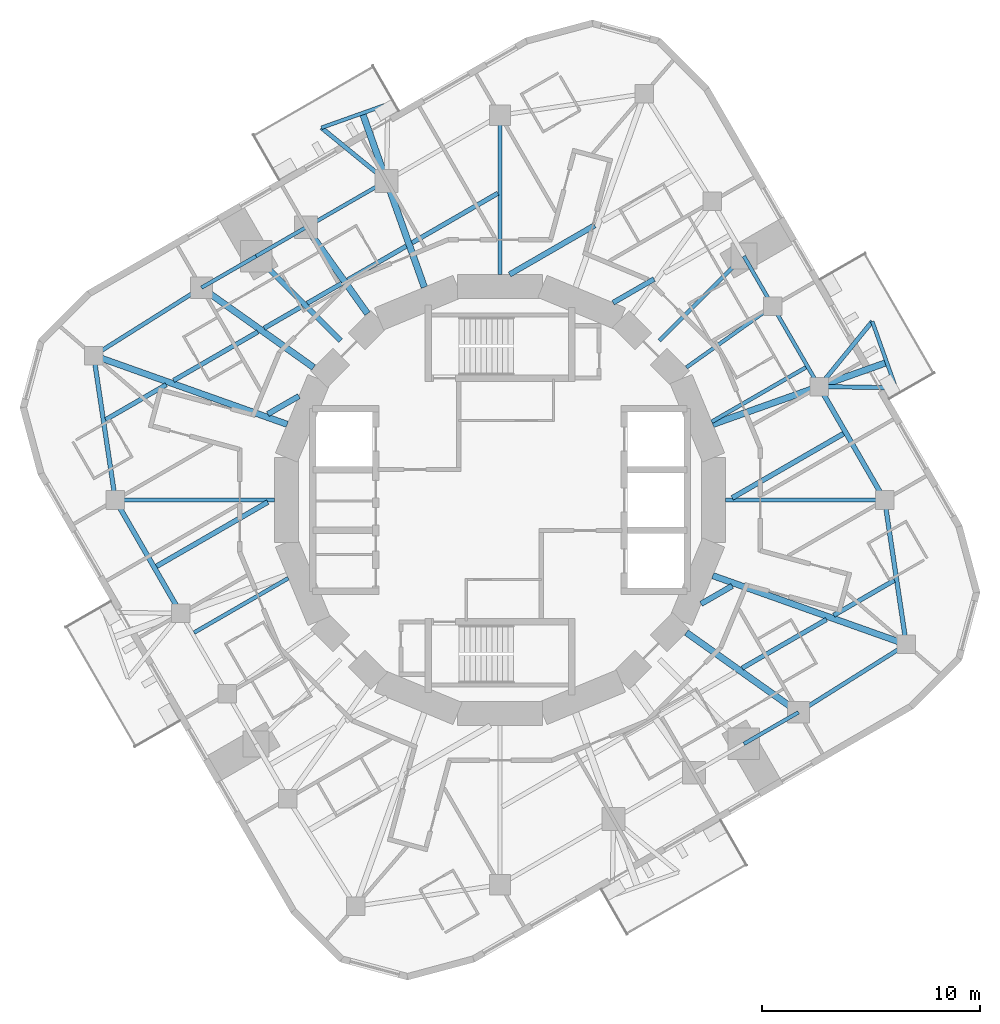
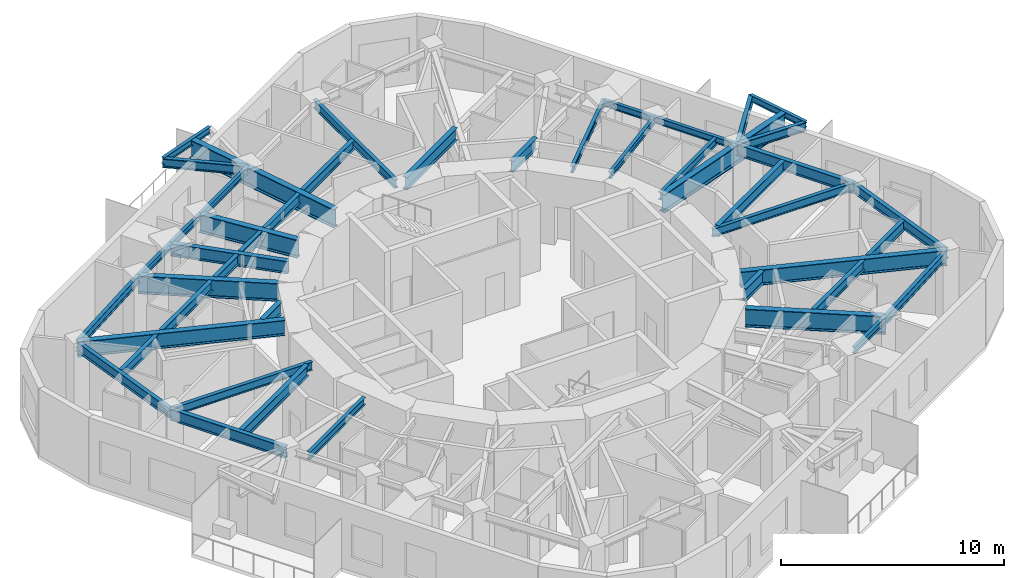
# One storey, part 2 of 12: 46 beams.
"""IFC4 building model written with IfcOpenShell, lengths in metres."""

import ifcopenshell
import ifcopenshell.guid

model = None  # the IFC model being written
_history = None  # IfcOwnerHistory: only IFC2X3 demands one
_inside = {}  # id of a spatial element -> (the spatial element, [elements in it])
_under = {}  # id of a project, library or spatial element -> (it, [spatial elements below it])
_declared = {}  # id of a project -> (the project, [libraries it declares])
_typed = {}  # id of a type object -> (the type object, [elements of that type])
_made_of = {}  # id of a material, layer set ... -> (it, [elements and type objects made of it])


def new_model(schema):
    """Start an empty IFC model of exactly this schema.

    Asked for "IFC4X3", IfcOpenShell would pick the latest addendum, in which some entities
    have other attributes; the version numbers below select the first issue.
    IFC2X3 requires an IfcOwnerHistory on every rooted entity: one is made here for all.
    """
    global model, _history
    if schema == "IFC4X3":
        model = ifcopenshell.file(schema_version=(4, 3, 0, 0))
    else:
        model = ifcopenshell.file(schema=schema)
    _inside.clear()
    _under.clear()
    _declared.clear()
    _typed.clear()
    _made_of.clear()
    _history = None
    if model.schema == "IFC2X3":
        org = make("IfcOrganization", Name="unknown")
        user = make(
            "IfcPersonAndOrganization",
            ThePerson=make("IfcPerson", FamilyName="unknown"),
            TheOrganization=org,
        )
        app = make(
            "IfcApplication",
            ApplicationDeveloper=org,
            Version="unknown",
            ApplicationFullName="unknown",
            ApplicationIdentifier="unknown",
        )
        _history = make(
            "IfcOwnerHistory",
            OwningUser=user,
            OwningApplication=app,
            ChangeAction="ADDED",
            CreationDate=0,
        )
    return model


def make(cls, **values):
    """One entity of the class cls with the attributes given. An attribute that is None is left unset."""
    return model.create_entity(
        cls, **{name: value for name, value in values.items() if value is not None}
    )


def rooted(cls, **values):
    """An entity with a GlobalId (a new one), such as an element, a storey or a relation."""
    return make(cls, GlobalId=ifcopenshell.guid.new(), OwnerHistory=_history, **values)


def si_unit(unit_type, name, prefix=None):
    """IfcSIUnit, for example si_unit("LENGTHUNIT", "METRE", prefix="MILLI")."""
    return make("IfcSIUnit", UnitType=unit_type, Prefix=prefix, Name=name)


def assignment(units):
    """IfcUnitAssignment: the units of a project."""
    return None if units is None else make("IfcUnitAssignment", Units=units)


def point(xyz):
    """IfcCartesianPoint."""
    return None if xyz is None else make("IfcCartesianPoint", Coordinates=xyz)


def direction(xyz):
    """IfcDirection."""
    return None if xyz is None else make("IfcDirection", DirectionRatios=xyz)


def frame(location, z_axis=None, x_axis=None):
    """IfcAxis2Placement3D, a coordinate frame: its origin and axes. An axis left out is left unset."""
    return make(
        "IfcAxis2Placement3D",
        Location=point(location),
        Axis=direction(z_axis),
        RefDirection=direction(x_axis),
    )


def frame_2d(location, x_axis=None):
    """IfcAxis2Placement2D, a coordinate frame in the plane: its origin and x axis."""
    return make(
        "IfcAxis2Placement2D", Location=point(location), RefDirection=direction(x_axis)
    )


def origin():
    """The frame at (0, 0, 0) with its axes left unset."""
    return frame((0.0, 0.0, 0.0))


def origin_2d():
    """The frame at (0, 0) in the plane with its x axis left unset."""
    return frame_2d((0.0, 0.0))


def place(relative_to, where):
    """IfcLocalPlacement: puts the frame where relative to a parent placement (None: the world)."""
    return make(
        "IfcLocalPlacement", PlacementRelTo=relative_to, RelativePlacement=where
    )


def context(
    kind, dimensions, precision=None, world=None, true_north=None, identifier=None
):
    """IfcGeometricRepresentationContext, for example the 3D "Model" context."""
    return make(
        "IfcGeometricRepresentationContext",
        ContextIdentifier=identifier,
        ContextType=kind,
        CoordinateSpaceDimension=dimensions,
        Precision=precision,
        WorldCoordinateSystem=world,
        TrueNorth=true_north,
    )


def subcontext(parent, identifier, kind, view, scale=None):
    """IfcGeometricRepresentationSubContext, for example "Body" below "Model"."""
    return make(
        "IfcGeometricRepresentationSubContext",
        ContextIdentifier=identifier,
        ContextType=kind,
        ParentContext=parent,
        TargetScale=scale,
        TargetView=view,
    )


def project(units=None, contexts=None):
    """IfcProject with its units and contexts."""
    return rooted(
        "IfcProject",
        Name="project",
        RepresentationContexts=contexts,
        UnitsInContext=assignment(units),
    )


def spatial(cls, under=None, at=None, **own):
    """A site, building, storey or space (cls), placed at a placement, below another one or the project."""
    s = rooted(cls, ObjectPlacement=at, **own)
    if under is not None:
        _under.setdefault(under.id(), (under, []))[1].append(s)
    return s


def profile(cls, at=None, kind="AREA", **sizes):
    """A parametric profile (cls). Its sizes go by their IFC names, for example OverallWidth=200.0."""
    return make(cls, ProfileType=kind, Position=at, **sizes)


def i_section(**sizes):
    """IfcIShapeProfileDef."""
    return profile("IfcIShapeProfileDef", **sizes)


def extrude(swept, where, along, depth):
    """IfcExtrudedAreaSolid: the profile swept, set in the frame where, extruded along a direction by depth."""
    return make(
        "IfcExtrudedAreaSolid",
        SweptArea=swept,
        Position=where,
        ExtrudedDirection=direction(along),
        Depth=depth,
    )


def shape(context_of_items, identifier, shape_type, items):
    """IfcShapeRepresentation: the items that make up one representation, for example the "Body"."""
    return make(
        "IfcShapeRepresentation",
        ContextOfItems=context_of_items,
        RepresentationIdentifier=identifier,
        RepresentationType=shape_type,
        Items=items,
    )


def material(Name=None, Category=None):
    """IfcMaterial."""
    return make("IfcMaterial", Name=Name, Category=Category)


def material_profile(
    of_material, cross_section, Name=None, Category=None, Priority=None
):
    """IfcMaterialProfile: a cross section and its material."""
    return make(
        "IfcMaterialProfile",
        Name=Name,
        Material=of_material,
        Profile=cross_section,
        Priority=Priority,
        Category=Category,
    )


def profile_set(profiles, Name=None, composite=None):
    """IfcMaterialProfileSet."""
    return make(
        "IfcMaterialProfileSet",
        Name=Name,
        MaterialProfiles=profiles,
        CompositeProfile=composite,
    )


def made_of(thing, what):
    """Note that an element or type object is made of a material, layer set ...; save() writes the relation."""
    if what is not None:
        _made_of.setdefault(what.id(), (what, []))[1].append(thing)
    return thing


def type_object(cls, material=None, **own):
    """A type object (cls), such as IfcWallType, which elements share."""
    return made_of(rooted(cls, **own), material)


def element(
    cls,
    number,
    at=None,
    inside=None,
    cuts=None,
    type_object=None,
    material=None,
    context=None,
    identifier="Body",
    shape_type=None,
    held_by="IfcProductDefinitionShape",
    body=None,
    shapes=None,
    **own,
):
    """One element of the class cls, such as IfcWall. Its Tag is "e" and its number.

    at: its placement. inside: the storey or other place that contains it. cuts: it is an
    opening in that element (IfcRelVoidsElement). A single representation is given by context,
    identifier, shape_type and body (its items); several are given by shapes. held_by: the class
    of the entity that holds the representations. save() writes the other relations.
    """
    e = rooted(cls, Tag="e%d" % number, ObjectPlacement=at, **own)
    if body is not None:
        shapes = [shape(context, identifier, shape_type, body)]
    if shapes is not None:
        e.Representation = make(held_by, Representations=shapes)
    if inside is not None:
        _inside.setdefault(inside.id(), (inside, []))[1].append(e)
    if cuts is not None:
        rooted(
            "IfcRelVoidsElement", RelatingBuildingElement=cuts, RelatedOpeningElement=e
        )
    if type_object is not None:
        _typed.setdefault(type_object.id(), (type_object, []))[1].append(e)
    return made_of(e, material)


def aggregate(whole, parts):
    """IfcRelAggregates: a whole, such as a stair, and the parts it consists of."""
    return rooted("IfcRelAggregates", RelatingObject=whole, RelatedObjects=parts)


def save(model, path):
    """Write the relations noted so far, then the file.

    IfcRelAggregates (storeys below a building ...), IfcRelContainedInSpatialStructure (elements
    in a storey), IfcRelDefinesByType, IfcRelAssociatesMaterial and IfcRelDeclares: one each for
    every whole, place, type object, material and project.
    """
    for whole, parts in _under.values():
        aggregate(whole, parts)
    for where, things in _inside.values():
        rooted(
            "IfcRelContainedInSpatialStructure",
            RelatedElements=things,
            RelatingStructure=where,
        )
    for kind, things in _typed.values():
        rooted("IfcRelDefinesByType", RelatedObjects=things, RelatingType=kind)
    for what, things in _made_of.values():
        rooted("IfcRelAssociatesMaterial", RelatedObjects=things, RelatingMaterial=what)
    for by, libraries in _declared.values():
        rooted("IfcRelDeclares", RelatingContext=by, RelatedDefinitions=libraries)
    model.write(path)


model = new_model("IFC4")

# Units and contexts
model_context = context("Model", 3, precision=1e-05, world=origin(), true_north=direction((0.0, 1.0)))
body_context = subcontext(model_context, "Body", "Model", "MODEL_VIEW")
ifc_project = project(units=[si_unit("LENGTHUNIT", "METRE"), si_unit("AREAUNIT", "SQUARE_METRE"), si_unit("VOLUMEUNIT", "CUBIC_METRE"), si_unit("PLANEANGLEUNIT", "RADIAN"), si_unit("MASSUNIT", "GRAM", prefix="KILO")], contexts=[model_context])

# Site, building, storey
site_placement = place(None, origin())
site = spatial("IfcSite", under=ifc_project, at=site_placement, CompositionType="ELEMENT")
building_placement = place(site_placement, origin())
building = spatial("IfcBuilding", under=site, at=building_placement, Name="Nakasero Lantern House", CompositionType="ELEMENT")
storey_placement = place(building_placement, frame((0.0, 0.0, 226.949951171875)))
storey = spatial("IfcBuildingStorey", under=building, at=storey_placement, Name="L55", CompositionType="ELEMENT", Elevation=226.949951171875)

# Beams
ifc_material_1 = material(Name="Steel S355", Category="steel")
ifc_material_profile_1 = material_profile(ifc_material_1, i_section(OverallWidth=0.199462890625, OverallDepth=0.491943359375, WebThickness=0.01806640625, FlangeThickness=0.031982421875, FilletRadius=0.01025390625, at=origin_2d()), Name="UB 457x191x161")
ifc_profile_set_1 = profile_set([ifc_material_profile_1], Name="Steel S355")
beam_type_1 = type_object("IfcBeamType", Name="Balcony splay beam UB 457x191x161", PredefinedType="BEAM", material=ifc_profile_set_1)
beam_1_placement = place(storey_placement, frame((14.657958984375, 5.211669921875, 3.404052734375), z_axis=(0.632127727159, 0.774864205236, 0.0), x_axis=(-0.774864205236, 0.632127727159, 0.0)))
element("IfcBeam", 1, at=beam_1_placement, inside=storey, type_object=beam_type_1, Name="Balcony splay beam L56 B6-C04A", PredefinedType="BEAM", context=body_context, shape_type="SweptSolid", body=[
    extrude(i_section(OverallWidth=0.199462890625, OverallDepth=0.491943359375, WebThickness=0.01806640625, FlangeThickness=0.031982421875, FilletRadius=0.01025390625, at=origin_2d()), origin(), (0.0, 0.0, 1.0), 3.858642578125),
])
beam_2_placement = place(storey_placement, frame((14.657958984375, 5.211669921875, 3.404052734375), z_axis=(0.99985827803, -0.016835196893, 0.0), x_axis=(0.016835196893, 0.99985827803, 0.0)))
element("IfcBeam", 2, at=beam_2_placement, inside=storey, type_object=beam_type_1, Name="Balcony splay beam L56 B6-C04B", PredefinedType="BEAM", context=body_context, shape_type="SweptSolid", body=[
    extrude(i_section(OverallWidth=0.199462890625, OverallDepth=0.491943359375, WebThickness=0.01806640625, FlangeThickness=0.031982421875, FilletRadius=0.01025390625, at=origin_2d()), origin(), (0.0, 0.0, 1.0), 3.52392578125),
])
beam_3_placement = place(storey_placement, frame((-5.211669921875, 14.657958984375, 3.404052734375), z_axis=(-0.774864205236, 0.632127727159, 0.0), x_axis=(-0.632127727159, -0.774864205236, 0.0)))
element("IfcBeam", 3, at=beam_3_placement, inside=storey, type_object=beam_type_1, Name="Balcony splay beam L56 B6-C10A", PredefinedType="BEAM", context=body_context, shape_type="SweptSolid", body=[
    extrude(i_section(OverallWidth=0.199462890625, OverallDepth=0.491943359375, WebThickness=0.01806640625, FlangeThickness=0.031982421875, FilletRadius=0.01025390625, at=origin_2d()), origin(), (0.0, 0.0, 1.0), 3.858642578125),
])
ifc_material_2 = material(Name="Steel S355", Category="steel")
ifc_material_profile_2 = material_profile(ifc_material_2, i_section(OverallWidth=0.17138671875, OverallDepth=0.35498046875, WebThickness=0.00732421875, FlangeThickness=0.011474609375, FilletRadius=0.01025390625, at=origin_2d()), Name="UB 356x171x51")
ifc_profile_set_2 = profile_set([ifc_material_profile_2], Name="Steel S355")
beam_type_2 = type_object("IfcBeamType", Name="Balcony tie beam UB 356x171x51", PredefinedType="BEAM", material=ifc_profile_set_2)
for number, where, z_axis, x_axis, name in (
    (4, (17.09716796875, 8.20166015625, 3.47265625), (0.335017108852, -0.942212044487, 0.0), (0.942212044487, 0.335017108852, 0.0), "Balcony tie beam L56 B6-C04"),
    (5, (-8.20166015625, 17.09716796875, 3.47265625), (0.942212044487, 0.335017108852, 0.0), (-0.335017108852, 0.942212044487, 0.0), "Balcony tie beam L56 B6-C10"),
):
    element("IfcBeam", number, at=place(storey_placement, frame(where, z_axis=z_axis, x_axis=x_axis)), inside=storey, type_object=beam_type_2, Name=name, PredefinedType="BEAM", context=body_context, shape_type="SweptSolid", body=[
        extrude(i_section(OverallWidth=0.17138671875, OverallDepth=0.35498046875, WebThickness=0.00732421875, FlangeThickness=0.011474609375, FilletRadius=0.01025390625, at=origin_2d()), origin(), (0.0, 0.0, 1.0), 3.236328125),
    ])
ifc_material_3 = material(Name="Steel S355", Category="steel")
ifc_material_profile_3 = material_profile(ifc_material_3, i_section(OverallWidth=0.177978515625, OverallDepth=0.406494140625, WebThickness=0.0078125, FlangeThickness=0.0126953125, FilletRadius=0.01025390625, at=origin_2d()), Name="UB 406x178x60")
ifc_profile_set_3 = profile_set([ifc_material_profile_3], Name="Steel S355")
beam_type_3 = type_object("IfcBeamType", Name="Infill beam UB 406x178x60", PredefinedType="JOIST", material=ifc_profile_set_3)
for number, where, z_axis, x_axis, name in (
    (6, (9.72314453125, 3.5927734375, 3.44677734375), (0.866018808352, 0.500011423449, 0.0), (-0.500011423449, 0.866018808352, 0.0), "Infill beam L56 06.1"),
    (7, (-14.051025390625, -6.091552734375, 3.44677734375), (0.866018808352, 0.500011423449, 0.0), (-0.500011423449, 0.866018808352, 0.0), "Infill beam L56 07.1"),
):
    element("IfcBeam", number, at=place(storey_placement, frame(where, z_axis=z_axis, x_axis=x_axis)), inside=storey, type_object=beam_type_3, Name=name, PredefinedType="JOIST", context=body_context, shape_type="SweptSolid", body=[
        extrude(i_section(OverallWidth=0.177978515625, OverallDepth=0.406494140625, WebThickness=0.0078125, FlangeThickness=0.0126953125, FilletRadius=0.01025390625, at=origin_2d()), origin(), (0.0, 0.0, 1.0), 4.99755859375),
    ])
ifc_material_4 = material(Name="Steel S355", Category="steel")
ifc_material_profile_4 = material_profile(ifc_material_4, i_section(OverallWidth=0.2099609375, OverallDepth=0.53662109375, WebThickness=0.0107421875, FlangeThickness=0.017333984375, FilletRadius=0.0126953125, at=origin_2d()), Name="UB 533x210x101")
ifc_profile_set_4 = profile_set([ifc_material_profile_4], Name="Steel S355")
beam_type_4 = type_object("IfcBeamType", Name="Infill beam UB 533x210x101", PredefinedType="JOIST", material=ifc_profile_set_4)
beam_4_placement = place(storey_placement, frame((11.12109375, -7.724365234375, 3.381591796875), z_axis=(0.866018397847, 0.500012134443, 0.0), x_axis=(-0.500012134443, 0.866018397847, 0.0)))
element("IfcBeam", 8, at=beam_4_placement, inside=storey, type_object=beam_type_4, Name="Infill beam L56 03.5", PredefinedType="JOIST", context=body_context, shape_type="SweptSolid", body=[
    extrude(i_section(OverallWidth=0.2099609375, OverallDepth=0.53662109375, WebThickness=0.0107421875, FlangeThickness=0.017333984375, FilletRadius=0.0126953125, at=origin_2d()), origin(), (0.0, 0.0, 1.0), 4.474609375),
])
for number, where, z_axis, x_axis, name in (
    (9, (15.32861328125, -5.294921875, 3.381591796875), (0.866033858845, 0.49998535512, 0.0), (-0.49998535512, 0.866033858845, 0.0), "Infill beam L56 03.6"),
    (10, (-18.11328125, 3.687255859375, 3.381591796875), (0.866033858845, 0.49998535512, 0.0), (-0.49998535512, 0.866033858845, 0.0), "Infill beam L56 10.1"),
):
    element("IfcBeam", number, at=place(storey_placement, frame(where, z_axis=z_axis, x_axis=x_axis)), inside=storey, type_object=beam_type_4, Name=name, PredefinedType="JOIST", context=body_context, shape_type="SweptSolid", body=[
        extrude(i_section(OverallWidth=0.2099609375, OverallDepth=0.53662109375, WebThickness=0.0107421875, FlangeThickness=0.017333984375, FilletRadius=0.0126953125, at=origin_2d()), origin(), (0.0, 0.0, 1.0), 3.21533203125),
    ])
beam_5_placement = place(storey_placement, frame((-14.99609375, 5.487060546875, 3.381591796875), z_axis=(0.866018397847, 0.500012134443, 0.0), x_axis=(-0.500012134443, 0.866018397847, 0.0)))
element("IfcBeam", 11, at=beam_5_placement, inside=storey, type_object=beam_type_4, Name="Infill beam L56 10.2", PredefinedType="JOIST", context=body_context, shape_type="SweptSolid", body=[
    extrude(i_section(OverallWidth=0.2099609375, OverallDepth=0.53662109375, WebThickness=0.0107421875, FlangeThickness=0.017333984375, FilletRadius=0.0126953125, at=origin_2d()), origin(), (0.0, 0.0, 1.0), 4.474609375),
])
beam_6_placement = place(storey_placement, frame((-10.83544921875, 7.88916015625, 3.381591796875), z_axis=(0.866039061512, 0.499976343375, 0.0), x_axis=(-0.499976343375, 0.866039061512, 0.0)))
element("IfcBeam", 12, at=beam_6_placement, inside=storey, type_object=beam_type_4, Name="Infill beam L56 10.3", PredefinedType="JOIST", context=body_context, shape_type="SweptSolid", body=[
    extrude(i_section(OverallWidth=0.2099609375, OverallDepth=0.53662109375, WebThickness=0.0107421875, FlangeThickness=0.017333984375, FilletRadius=0.0126953125, at=origin_2d()), origin(), (0.0, 0.0, 1.0), 2.025390625),
])
beam_7_placement = place(storey_placement, frame((-8.85400390625, 9.033203125, 3.381591796875), z_axis=(0.866028611999, 0.499994443168, 0.0), x_axis=(-0.499994443168, 0.866028611999, 0.0)))
element("IfcBeam", 13, at=beam_7_placement, inside=storey, type_object=beam_type_4, Name="Infill beam L56 10.4", PredefinedType="JOIST", context=body_context, shape_type="SweptSolid", body=[
    extrude(i_section(OverallWidth=0.2099609375, OverallDepth=0.53662109375, WebThickness=0.0107421875, FlangeThickness=0.017333984375, FilletRadius=0.0126953125, at=origin_2d()), origin(), (0.0, 0.0, 1.0), 1.8388671875),
])
beam_8_placement = place(storey_placement, frame((-7.00048828125, 10.103271484375, 3.381591796875), z_axis=(0.866018346476, 0.500012223418, 0.0), x_axis=(-0.500012223418, 0.866018346476, 0.0)))
element("IfcBeam", 14, at=beam_8_placement, inside=storey, type_object=beam_type_4, Name="Infill beam L56 10.5", PredefinedType="JOIST", context=body_context, shape_type="SweptSolid", body=[
    extrude(i_section(OverallWidth=0.2099609375, OverallDepth=0.53662109375, WebThickness=0.0107421875, FlangeThickness=0.017333984375, FilletRadius=0.0126953125, at=origin_2d()), origin(), (0.0, 0.0, 1.0), 3.11181640625),
])
beam_9_placement = place(storey_placement, frame((-4.039794921875, 11.812744140625, 3.381591796875), z_axis=(0.866027576455, 0.499996236806, 0.0), x_axis=(-0.499996236806, 0.866027576455, 0.0)))
element("IfcBeam", 15, at=beam_9_placement, inside=storey, type_object=beam_type_4, Name="Infill beam L56 10.6", PredefinedType="JOIST", context=body_context, shape_type="SweptSolid", body=[
    extrude(i_section(OverallWidth=0.2099609375, OverallDepth=0.53662109375, WebThickness=0.0107421875, FlangeThickness=0.017333984375, FilletRadius=0.0126953125, at=origin_2d()), origin(), (0.0, 0.0, 1.0), 4.55419921875),
])
ifc_material_5 = material(Name="Steel S355", Category="steel")
ifc_material_profile_5 = material_profile(ifc_material_5, i_section(OverallWidth=0.22900390625, OverallDepth=0.6123046875, WebThickness=0.011962890625, FlangeThickness=0.01953125, FilletRadius=0.0126953125, at=origin_2d()), Name="UB 610x229x125")
ifc_profile_set_5 = profile_set([ifc_material_profile_5], Name="Steel S355")
beam_type_5 = type_object("IfcBeamType", Name="Infill beam UB 610x229x125", PredefinedType="JOIST", material=ifc_profile_set_5)
for number, where, z_axis, x_axis, name in (
    (16, (10.66455078125, 0.094970703125, 3.343994140625), (0.866025091885, 0.500000540226, 0.0), (-0.500000540226, 0.866025091885, 0.0), "Infill beam L56 05.3"),
    (17, (-15.776123046875, -3.046142578125, 3.343994140625), (0.866025091885, 0.500000540226, 0.0), (-0.500000540226, 0.866025091885, 0.0), "Infill beam L56 08.1"),
):
    element("IfcBeam", number, at=place(storey_placement, frame(where, z_axis=z_axis, x_axis=x_axis)), inside=storey, type_object=beam_type_5, Name=name, PredefinedType="JOIST", context=body_context, shape_type="SweptSolid", body=[
        extrude(i_section(OverallWidth=0.22900390625, OverallDepth=0.6123046875, WebThickness=0.011962890625, FlangeThickness=0.01953125, FilletRadius=0.0126953125, at=origin_2d()), origin(), (0.0, 0.0, 1.0), 5.90234375),
    ])
beam_10_placement = place(storey_placement, frame((5.19287109375, 9.060302734375, 3.343994140625), z_axis=(0.866043427695, 0.499968780372, 0.0), x_axis=(-0.499968780372, 0.866043427695, 0.0)))
element("IfcBeam", 18, at=beam_10_placement, inside=storey, type_object=beam_type_5, Name="Infill beam L56 08.2", PredefinedType="JOIST", context=body_context, shape_type="SweptSolid", body=[
    extrude(i_section(OverallWidth=0.22900390625, OverallDepth=0.6123046875, WebThickness=0.011962890625, FlangeThickness=0.01953125, FilletRadius=0.0126953125, at=origin_2d()), origin(), (0.0, 0.0, 1.0), 2.173583984375),
])
ifc_material_6 = material(Name="Steel S355", Category="steel")
ifc_material_profile_6 = material_profile(ifc_material_6, i_section(OverallWidth=0.253662109375, OverallDepth=0.68359375, WebThickness=0.012451171875, FlangeThickness=0.01904296875, FilletRadius=0.01513671875, at=origin_2d()), Name="UB 686x254x140")
ifc_profile_set_6 = profile_set([ifc_material_profile_6], Name="Steel S355")
beam_type_6 = type_object("IfcBeamType", Name="Infill beam UB 686x254x140", PredefinedType="JOIST", material=ifc_profile_set_6)
for number, where, z_axis, x_axis, name in (
    (19, (9.234619140625, -4.77197265625, 3.308349609375), (0.866050114754, 0.499957196903, 0.0), (-0.499957196903, 0.866050114754, 0.0), "Infill beam L56 04.3"),
    (20, (-10.6640625, 3.94677734375, 3.308349609375), (0.866050114754, 0.499957196903, 0.0), (-0.499957196903, 0.866050114754, 0.0), "Infill beam L56 09.1"),
):
    element("IfcBeam", number, at=place(storey_placement, frame(where, z_axis=z_axis, x_axis=x_axis)), inside=storey, type_object=beam_type_6, Name=name, PredefinedType="JOIST", context=body_context, shape_type="SweptSolid", body=[
        extrude(i_section(OverallWidth=0.253662109375, OverallDepth=0.68359375, WebThickness=0.012451171875, FlangeThickness=0.01904296875, FilletRadius=0.01513671875, at=origin_2d()), origin(), (0.0, 0.0, 1.0), 1.650634765625),
    ])
beam_11_placement = place(storey_placement, frame((0.4404296875, 10.35791015625, 3.308349609375), z_axis=(0.86603787505, 0.499978398512, 0.0), x_axis=(-0.499978398512, 0.86603787505, 0.0)))
element("IfcBeam", 21, at=beam_11_placement, inside=storey, type_object=beam_type_6, Name="Infill beam L56 09.2", PredefinedType="JOIST", context=body_context, shape_type="SweptSolid", body=[
    extrude(i_section(OverallWidth=0.253662109375, OverallDepth=0.68359375, WebThickness=0.012451171875, FlangeThickness=0.01904296875, FilletRadius=0.01513671875, at=origin_2d()), origin(), (0.0, 0.0, 1.0), 4.513916015625),
])
ifc_material_7 = material(Name="Steel S355", Category="steel")
ifc_material_profile_7 = material_profile(ifc_material_7, i_section(OverallWidth=0.300048828125, OverallDepth=0.97998046875, WebThickness=0.0166015625, FlangeThickness=0.02587890625, FilletRadius=0.030029296875, at=origin_2d()), Name="UB 1016x305x249")
ifc_profile_set_7 = profile_set([ifc_material_profile_7], Name="Steel S355")
beam_type_7 = type_object("IfcBeamType", Name="Primary beam UB 1016x305x249, span 6 to 9 m", PredefinedType="BEAM", material=ifc_profile_set_7)
beam_12_placement = place(storey_placement, frame((-13.711669921875, 9.75048828125, 3.159912109375), z_axis=(0.814968702178, -0.579504973637, 0.0), x_axis=(0.579504973637, 0.814968702178, 0.0)))
element("IfcBeam", 22, at=beam_12_placement, inside=storey, type_object=beam_type_7, Name="Primary beam L56 B6-C13", PredefinedType="BEAM", context=body_context, shape_type="SweptSolid", body=[
    extrude(i_section(OverallWidth=0.300048828125, OverallDepth=0.97998046875, WebThickness=0.0166015625, FlangeThickness=0.02587890625, FilletRadius=0.030029296875, at=origin_2d()), origin(), (0.0, 0.0, 1.0), 6.320556640625),
])
ifc_material_8 = material(Name="Steel S355", Category="steel")
ifc_material_profile_8 = material_profile(ifc_material_8, i_section(OverallWidth=0.300048828125, OverallDepth=0.989990234375, WebThickness=0.0166015625, FlangeThickness=0.031005859375, FilletRadius=0.030029296875, at=origin_2d()), Name="UB 1016x305x272")
ifc_profile_set_8 = profile_set([ifc_material_profile_8], Name="Steel S355")
beam_type_8 = type_object("IfcBeamType", Name="Primary beam UB 1016x305x272, span 6 to 9 m", PredefinedType="BEAM", material=ifc_profile_set_8)
beam_13_placement = place(storey_placement, frame((13.711669921875, -9.75048828125, 3.155029296875), z_axis=(-0.814968702178, 0.579504973637, 0.0), x_axis=(-0.579504973637, -0.814968702178, 0.0)))
element("IfcBeam", 23, at=beam_13_placement, inside=storey, type_object=beam_type_8, Name="Primary beam L56 B6-C01", PredefinedType="BEAM", context=body_context, shape_type="SweptSolid", body=[
    extrude(i_section(OverallWidth=0.300048828125, OverallDepth=0.989990234375, WebThickness=0.0166015625, FlangeThickness=0.031005859375, FilletRadius=0.030029296875, at=origin_2d()), origin(), (0.0, 0.0, 1.0), 6.320556640625),
])
ifc_material_9 = material(Name="Steel S355", Category="steel")
ifc_material_profile_9 = material_profile(ifc_material_9, i_section(OverallWidth=0.300048828125, OverallDepth=1.0, WebThickness=0.01904296875, FlangeThickness=0.035888671875, FilletRadius=0.030029296875, at=origin_2d()), Name="UB 1016x305x314")
ifc_profile_set_9 = profile_set([ifc_material_profile_9], Name="Steel S355")
beam_type_9 = type_object("IfcBeamType", Name="Primary beam UB 1016x305x314, span to 6 m", PredefinedType="BEAM", material=ifc_profile_set_9)
beam_14_placement = place(storey_placement, frame((-8.906494140625, 12.524658203125, 3.150146484375), z_axis=(0.579513415446, -0.814962699342, 0.0), x_axis=(0.814962699342, 0.579513415446, 0.0)))
element("IfcBeam", 24, at=beam_14_placement, inside=storey, type_object=beam_type_9, Name="Primary beam L56 B6-C11", PredefinedType="BEAM", context=body_context, shape_type="SweptSolid", body=[
    extrude(i_section(OverallWidth=0.300048828125, OverallDepth=1.0, WebThickness=0.01904296875, FlangeThickness=0.035888671875, FilletRadius=0.030029296875, at=origin_2d()), origin(), (0.0, 0.0, 1.0), 4.8642578125),
])
ifc_material_10 = material(Name="Steel S355", Category="steel")
ifc_material_profile_10 = material_profile(ifc_material_10, i_section(OverallWidth=0.302001953125, OverallDepth=1.008056640625, WebThickness=0.02099609375, FlangeThickness=0.0400390625, FilletRadius=0.030029296875, at=origin_2d()), Name="UB 1016x305x349")
ifc_profile_set_10 = profile_set([ifc_material_profile_10], Name="Steel S355")
beam_type_10 = type_object("IfcBeamType", Name="Primary beam UB 1016x305x349, span to 6 m", PredefinedType="BEAM", material=ifc_profile_set_10)
beam_15_placement = place(storey_placement, frame((-6.317138671875, 17.767333984375, 3.14599609375), z_axis=(0.33498185503, -0.94222457875, 0.0), x_axis=(0.94222457875, 0.33498185503, 0.0)))
element("IfcBeam", 25, at=beam_15_placement, inside=storey, type_object=beam_type_10, Name="Primary beam L56 B6-C10", PredefinedType="BEAM", context=body_context, shape_type="SweptSolid", body=[
    extrude(i_section(OverallWidth=0.302001953125, OverallDepth=1.008056640625, WebThickness=0.02099609375, FlangeThickness=0.0400390625, FilletRadius=0.030029296875, at=origin_2d()), origin(), (0.0, 0.0, 1.0), 8.485595703125),
])
ifc_material_11 = material(Name="Steel S355", Category="steel")
ifc_material_profile_11 = material_profile(ifc_material_11, i_section(OverallWidth=0.302978515625, OverallDepth=1.015869140625, WebThickness=0.0244140625, FlangeThickness=0.0439453125, FilletRadius=0.030029296875, at=origin_2d()), Name="UB 1016x305x393")
ifc_profile_set_11 = profile_set([ifc_material_profile_11], Name="Steel S355")
beam_type_11 = type_object("IfcBeamType", Name="Primary beam UB 1016x305x393, span to 6 m", PredefinedType="BEAM", material=ifc_profile_set_11)
beam_16_placement = place(storey_placement, frame((17.767333984375, 6.317138671875, 3.14208984375), z_axis=(-0.94222457875, -0.33498185503, 0.0), x_axis=(0.33498185503, -0.94222457875, 0.0)))
element("IfcBeam", 26, at=beam_16_placement, inside=storey, type_object=beam_type_11, Name="Primary beam L56 B6-C04", PredefinedType="BEAM", context=body_context, shape_type="SweptSolid", body=[
    extrude(i_section(OverallWidth=0.302978515625, OverallDepth=1.015869140625, WebThickness=0.0244140625, FlangeThickness=0.0439453125, FilletRadius=0.030029296875, at=origin_2d()), origin(), (0.0, 0.0, 1.0), 8.485595703125),
])
ifc_material_12 = material(Name="Steel S355", Category="steel")
ifc_material_profile_12 = material_profile(ifc_material_12, i_section(OverallWidth=0.17138671875, OverallDepth=0.35498046875, WebThickness=0.00732421875, FlangeThickness=0.011474609375, FilletRadius=0.01025390625, at=origin_2d()), Name="UB 356x171x51")
ifc_profile_set_12 = profile_set([ifc_material_profile_12], Name="Steel S355")
beam_type_12 = type_object("IfcBeamType", Name="Primary beam UB 356x171x51, span to 6 m", PredefinedType="BEAM", material=ifc_profile_set_12)
beam_17_placement = place(storey_placement, frame((12.524658203125, 8.906494140625, 3.47265625), z_axis=(-0.814962699342, -0.579513415446, 0.0), x_axis=(0.579513415446, -0.814962699342, 0.0)))
element("IfcBeam", 27, at=beam_17_placement, inside=storey, type_object=beam_type_12, Name="Primary beam L56 B6-C05", PredefinedType="BEAM", context=body_context, shape_type="SweptSolid", body=[
    extrude(i_section(OverallWidth=0.17138671875, OverallDepth=0.35498046875, WebThickness=0.00732421875, FlangeThickness=0.011474609375, FilletRadius=0.01025390625, at=origin_2d()), origin(), (0.0, 0.0, 1.0), 4.8642578125),
])
beam_18_placement = place(storey_placement, frame((11.200439453125, 11.200439453125, 3.47265625), z_axis=(-0.707106781187, -0.707106781187, 0.0), x_axis=(0.707106781187, -0.707106781187, 0.0)))
element("IfcBeam", 28, at=beam_18_placement, inside=storey, type_object=beam_type_12, Name="Primary beam L56 B6-C06", PredefinedType="BEAM", context=body_context, shape_type="SweptSolid", body=[
    extrude(i_section(OverallWidth=0.17138671875, OverallDepth=0.35498046875, WebThickness=0.00732421875, FlangeThickness=0.011474609375, FilletRadius=0.01025390625, at=origin_2d()), origin(), (0.0, 0.0, 1.0), 5.481689453125),
])
ifc_material_13 = material(Name="Steel S355", Category="steel")
ifc_material_profile_13 = material_profile(ifc_material_13, i_section(OverallWidth=0.18994140625, OverallDepth=0.453369140625, WebThickness=0.008544921875, FlangeThickness=0.0126953125, FilletRadius=0.01025390625, at=origin_2d()), Name="UB 457x191x67")
ifc_profile_set_13 = profile_set([ifc_material_profile_13], Name="Steel S355")
beam_type_13 = type_object("IfcBeamType", Name="Primary beam UB 457x191x67, span 6 to 9 m", PredefinedType="BEAM", material=ifc_profile_set_13)
for number, where, z_axis, x_axis, name in (
    (29, (17.6669921875, 0.0, 3.42333984375), (-1.0, 0.0, 0.0), (0.0, -1.0, 0.0), "Primary beam L56 B6-C03"),
    (30, (-17.6669921875, 0.0, 3.42333984375), (1.0, 0.0, 0.0), (0.0, 1.0, 0.0), "Primary beam L56 B6-C15"),
):
    element("IfcBeam", number, at=place(storey_placement, frame(where, z_axis=z_axis, x_axis=x_axis)), inside=storey, type_object=beam_type_13, Name=name, PredefinedType="BEAM", context=body_context, shape_type="SweptSolid", body=[
        extrude(i_section(OverallWidth=0.18994140625, OverallDepth=0.453369140625, WebThickness=0.008544921875, FlangeThickness=0.0126953125, FilletRadius=0.01025390625, at=origin_2d()), origin(), (0.0, 0.0, 1.0), 7.30908203125),
    ])
ifc_material_14 = material(Name="Steel S355", Category="steel")
ifc_material_profile_14 = material_profile(ifc_material_14, i_section(OverallWidth=0.19140625, OverallDepth=0.4599609375, WebThickness=0.010009765625, FlangeThickness=0.01611328125, FilletRadius=0.01025390625, at=origin_2d()), Name="UB 457x191x82")
ifc_profile_set_14 = profile_set([ifc_material_profile_14], Name="Steel S355")
beam_type_14 = type_object("IfcBeamType", Name="Primary beam UB 457x191x82, span 6 to 9 m", PredefinedType="BEAM", material=ifc_profile_set_14)
beam_19_placement = place(storey_placement, frame((0.0, 17.6669921875, 3.420166015625), z_axis=(0.0, -1.0, 0.0), x_axis=(1.0, 0.0, 0.0)))
element("IfcBeam", 31, at=beam_19_placement, inside=storey, type_object=beam_type_14, Name="Primary beam L56 B6-C09", PredefinedType="BEAM", context=body_context, shape_type="SweptSolid", body=[
    extrude(i_section(OverallWidth=0.19140625, OverallDepth=0.4599609375, WebThickness=0.010009765625, FlangeThickness=0.01611328125, FilletRadius=0.01025390625, at=origin_2d()), origin(), (0.0, 0.0, 1.0), 7.30908203125),
])
ifc_material_15 = material(Name="Steel S355", Category="steel")
ifc_material_profile_15 = material_profile(ifc_material_15, i_section(OverallWidth=0.253662109375, OverallDepth=0.68359375, WebThickness=0.012451171875, FlangeThickness=0.01904296875, FilletRadius=0.01513671875, at=origin_2d()), Name="UB 686x254x140")
ifc_profile_set_15 = profile_set([ifc_material_profile_15], Name="Steel S355")
beam_type_15 = type_object("IfcBeamType", Name="Primary beam UB 686x254x140, span to 6 m", PredefinedType="BEAM", material=ifc_profile_set_15)
beam_20_placement = place(storey_placement, frame((-11.200439453125, 11.200439453125, 3.308349609375), z_axis=(0.707106781187, -0.707106781187, 0.0), x_axis=(0.707106781187, 0.707106781187, 0.0)))
element("IfcBeam", 32, at=beam_20_placement, inside=storey, type_object=beam_type_15, Name="Primary beam L56 B6-C12", PredefinedType="BEAM", context=body_context, shape_type="SweptSolid", body=[
    extrude(i_section(OverallWidth=0.253662109375, OverallDepth=0.68359375, WebThickness=0.012451171875, FlangeThickness=0.01904296875, FilletRadius=0.01513671875, at=origin_2d()), origin(), (0.0, 0.0, 1.0), 5.481689453125),
])
ifc_material_16 = material(Name="Steel S355", Category="steel")
ifc_material_profile_16 = material_profile(ifc_material_16, i_section(OverallWidth=0.29248046875, OverallDepth=0.8408203125, WebThickness=0.0146484375, FlangeThickness=0.02685546875, FilletRadius=0.017822265625, at=origin_2d()), Name="UB 838x292x194")
ifc_profile_set_16 = profile_set([ifc_material_profile_16], Name="Steel S355")
beam_type_16 = type_object("IfcBeamType", Name="Primary beam UB 838x292x194, span 9 to 12 m", PredefinedType="BEAM", material=ifc_profile_set_16)
for number, where, z_axis, x_axis, name in (
    (33, (18.661376953125, -6.63525390625, 3.229736328125), (-0.942215779364, 0.335006604588, 0.0), (-0.335006604588, -0.942215779364, 0.0), "Primary beam L56 B6-C02"),
    (34, (-18.661376953125, 6.63525390625, 3.229736328125), (0.942215779364, -0.335006604588, 0.0), (0.335006604588, 0.942215779364, 0.0), "Primary beam L56 B6-C14"),
):
    element("IfcBeam", number, at=place(storey_placement, frame(where, z_axis=z_axis, x_axis=x_axis)), inside=storey, type_object=beam_type_16, Name=name, PredefinedType="BEAM", context=body_context, shape_type="SweptSolid", body=[
        extrude(i_section(OverallWidth=0.29248046875, OverallDepth=0.8408203125, WebThickness=0.0146484375, FlangeThickness=0.02685546875, FilletRadius=0.017822265625, at=origin_2d()), origin(), (0.0, 0.0, 1.0), 9.4345703125),
    ])
ifc_material_17 = material(Name="Steel S355", Category="steel")
ifc_material_profile_17 = material_profile(ifc_material_17, i_section(OverallWidth=0.17138671875, OverallDepth=0.35498046875, WebThickness=0.00732421875, FlangeThickness=0.011474609375, FilletRadius=0.01025390625, at=origin_2d()), Name="UB 356x171x51")
ifc_profile_set_17 = profile_set([ifc_material_profile_17], Name="Steel S355")
beam_type_17 = type_object("IfcBeamType", Name="Ring beam UB 356x171x51", PredefinedType="BEAM", material=ifc_profile_set_17)
beam_21_placement = place(storey_placement, frame((14.657958984375, 5.211669921875, 3.47265625), z_axis=(-0.500016352561, 0.866015962423, 0.0), x_axis=(-0.866015962423, -0.500016352561, 0.0)))
element("IfcBeam", 35, at=beam_21_placement, inside=storey, type_object=beam_type_17, Name="Ring beam L56 B6-C04", PredefinedType="BEAM", context=body_context, shape_type="SweptSolid", body=[
    extrude(i_section(OverallWidth=0.17138671875, OverallDepth=0.35498046875, WebThickness=0.00732421875, FlangeThickness=0.011474609375, FilletRadius=0.01025390625, at=origin_2d()), origin(), (0.0, 0.0, 1.0), 4.266357421875),
])
beam_22_placement = place(storey_placement, frame((12.524658203125, 8.906494140625, 3.47265625), z_axis=(-0.499945861543, 0.866056658381, 0.0), x_axis=(-0.866056658381, -0.499945861543, 0.0)))
element("IfcBeam", 36, at=beam_22_placement, inside=storey, type_object=beam_type_17, Name="Ring beam L56 B6-C05", PredefinedType="BEAM", context=body_context, shape_type="SweptSolid", body=[
    extrude(i_section(OverallWidth=0.17138671875, OverallDepth=0.35498046875, WebThickness=0.00732421875, FlangeThickness=0.011474609375, FilletRadius=0.01025390625, at=origin_2d()), origin(), (0.0, 0.0, 1.0), 2.648681640625),
])
beam_23_placement = place(storey_placement, frame((-5.211669921875, 14.657958984375, 3.47265625), z_axis=(-0.866015962423, -0.500016352561, 0.0), x_axis=(0.500016352561, -0.866015962423, 0.0)))
element("IfcBeam", 37, at=beam_23_placement, inside=storey, type_object=beam_type_17, Name="Ring beam L56 B6-C10", PredefinedType="BEAM", context=body_context, shape_type="SweptSolid", body=[
    extrude(i_section(OverallWidth=0.17138671875, OverallDepth=0.35498046875, WebThickness=0.00732421875, FlangeThickness=0.011474609375, FilletRadius=0.01025390625, at=origin_2d()), origin(), (0.0, 0.0, 1.0), 4.266357421875),
])
beam_24_placement = place(storey_placement, frame((-8.906494140625, 12.524658203125, 3.47265625), z_axis=(-0.866056658381, -0.499945861543, 0.0), x_axis=(0.499945861543, -0.866056658381, 0.0)))
element("IfcBeam", 38, at=beam_24_placement, inside=storey, type_object=beam_type_17, Name="Ring beam L56 B6-C11", PredefinedType="BEAM", context=body_context, shape_type="SweptSolid", body=[
    extrude(i_section(OverallWidth=0.17138671875, OverallDepth=0.35498046875, WebThickness=0.00732421875, FlangeThickness=0.011474609375, FilletRadius=0.01025390625, at=origin_2d()), origin(), (0.0, 0.0, 1.0), 2.648681640625),
])
for number, where, z_axis, x_axis, name in (
    (39, (-11.200439453125, 11.200439453125, 3.47265625), (-0.866011727401, -0.500023687443, 0.0), (0.500023687443, -0.866011727401, 0.0), "Ring beam L56 B6-C12"),
    (40, (11.200439453125, -11.200439453125, 3.47265625), (0.866011727401, 0.500023687443, 0.0), (-0.500023687443, 0.866011727401, 0.0), "Ring beam L56 B6-C24"),
):
    element("IfcBeam", number, at=place(storey_placement, frame(where, z_axis=z_axis, x_axis=x_axis)), inside=storey, type_object=beam_type_17, Name=name, PredefinedType="BEAM", context=body_context, shape_type="SweptSolid", body=[
        extrude(i_section(OverallWidth=0.17138671875, OverallDepth=0.35498046875, WebThickness=0.00732421875, FlangeThickness=0.011474609375, FilletRadius=0.01025390625, at=origin_2d()), origin(), (0.0, 0.0, 1.0), 2.899658203125),
    ])
ifc_material_18 = material(Name="Steel S355", Category="steel")
ifc_material_profile_18 = material_profile(ifc_material_18, i_section(OverallWidth=0.18994140625, OverallDepth=0.453369140625, WebThickness=0.008544921875, FlangeThickness=0.0126953125, FilletRadius=0.01025390625, at=origin_2d()), Name="UB 457x191x67")
ifc_profile_set_18 = profile_set([ifc_material_profile_18], Name="Steel S355")
beam_type_18 = type_object("IfcBeamType", Name="Ring beam UB 457x191x67", PredefinedType="BEAM", material=ifc_profile_set_18)
for number, where, z_axis, x_axis, name in (
    (41, (13.711669921875, -9.75048828125, 3.42333984375), (0.846329027393, 0.532660471024, 0.0), (-0.532660471024, 0.846329027393, 0.0), "Ring beam L56 B6-C01"),
    (42, (-13.711669921875, 9.75048828125, 3.42333984375), (-0.846329027393, -0.532660471024, 0.0), (0.532660471024, -0.846329027393, 0.0), "Ring beam L56 B6-C13"),
):
    element("IfcBeam", number, at=place(storey_placement, frame(where, z_axis=z_axis, x_axis=x_axis)), inside=storey, type_object=beam_type_18, Name=name, PredefinedType="BEAM", context=body_context, shape_type="SweptSolid", body=[
        extrude(i_section(OverallWidth=0.18994140625, OverallDepth=0.453369140625, WebThickness=0.008544921875, FlangeThickness=0.0126953125, FilletRadius=0.01025390625, at=origin_2d()), origin(), (0.0, 0.0, 1.0), 5.848388671875),
    ])
ifc_material_19 = material(Name="Steel S355", Category="steel")
ifc_material_profile_19 = material_profile(ifc_material_19, i_section(OverallWidth=0.2099609375, OverallDepth=0.53662109375, WebThickness=0.0107421875, FlangeThickness=0.017333984375, FilletRadius=0.0126953125, at=origin_2d()), Name="UB 533x210x101")
ifc_profile_set_19 = profile_set([ifc_material_profile_19], Name="Steel S355")
beam_type_19 = type_object("IfcBeamType", Name="Ring beam UB 533x210x101", PredefinedType="BEAM", material=ifc_profile_set_19)
for number, where, z_axis, x_axis, name in (
    (43, (18.661376953125, -6.63525390625, 3.381591796875), (-0.148208778253, 0.988956095107, 0.0), (-0.988956095107, -0.148208778253, 0.0), "Ring beam L56 B6-C02"),
    (44, (-18.661376953125, 6.63525390625, 3.381591796875), (0.148208778253, -0.988956095107, 0.0), (0.988956095107, 0.148208778253, 0.0), "Ring beam L56 B6-C14"),
):
    element("IfcBeam", number, at=place(storey_placement, frame(where, z_axis=z_axis, x_axis=x_axis)), inside=storey, type_object=beam_type_19, Name=name, PredefinedType="BEAM", context=body_context, shape_type="SweptSolid", body=[
        extrude(i_section(OverallWidth=0.2099609375, OverallDepth=0.53662109375, WebThickness=0.0107421875, FlangeThickness=0.017333984375, FilletRadius=0.0126953125, at=origin_2d()), origin(), (0.0, 0.0, 1.0), 6.70947265625),
    ])
ifc_material_20 = material(Name="Steel S355", Category="steel")
ifc_material_profile_20 = material_profile(ifc_material_20, i_section(OverallWidth=0.22900390625, OverallDepth=0.6123046875, WebThickness=0.011962890625, FlangeThickness=0.01953125, FilletRadius=0.0126953125, at=origin_2d()), Name="UB 610x229x125")
ifc_profile_set_20 = profile_set([ifc_material_profile_20], Name="Steel S355")
beam_type_20 = type_object("IfcBeamType", Name="Ring beam UB 610x229x125", PredefinedType="BEAM", material=ifc_profile_set_20)
for number, where, z_axis, x_axis, name in (
    (45, (17.6669921875, 0.0, 3.343994140625), (-0.50000924366, 0.866020066889, 0.0), (-0.866020066889, -0.50000924366, 0.0), "Ring beam L56 B6-C03"),
    (46, (-17.6669921875, 0.0, 3.343994140625), (0.50000924366, -0.866020066889, 0.0), (0.866020066889, 0.50000924366, 0.0), "Ring beam L56 B6-C15"),
):
    element("IfcBeam", number, at=place(storey_placement, frame(where, z_axis=z_axis, x_axis=x_axis)), inside=storey, type_object=beam_type_20, Name=name, PredefinedType="BEAM", context=body_context, shape_type="SweptSolid", body=[
        extrude(i_section(OverallWidth=0.22900390625, OverallDepth=0.6123046875, WebThickness=0.011962890625, FlangeThickness=0.01953125, FilletRadius=0.0126953125, at=origin_2d()), origin(), (0.0, 0.0, 1.0), 6.01806640625),
    ])

save(model, "model.ifc")
